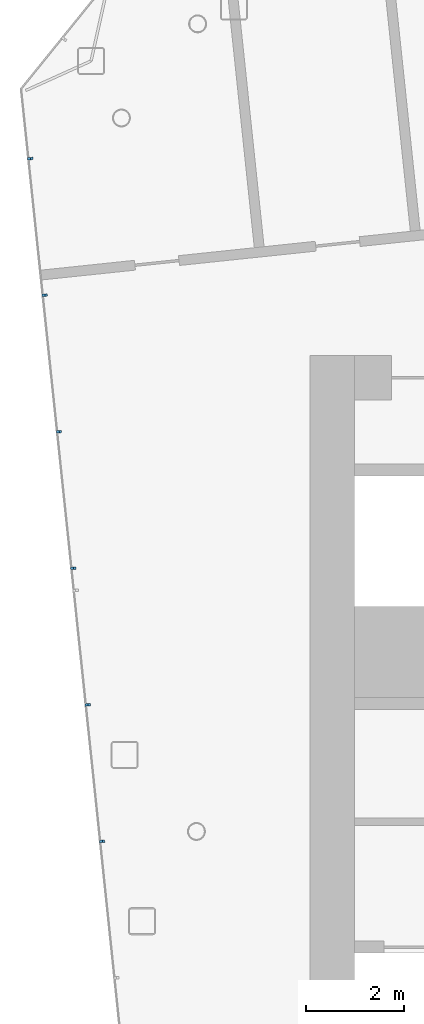
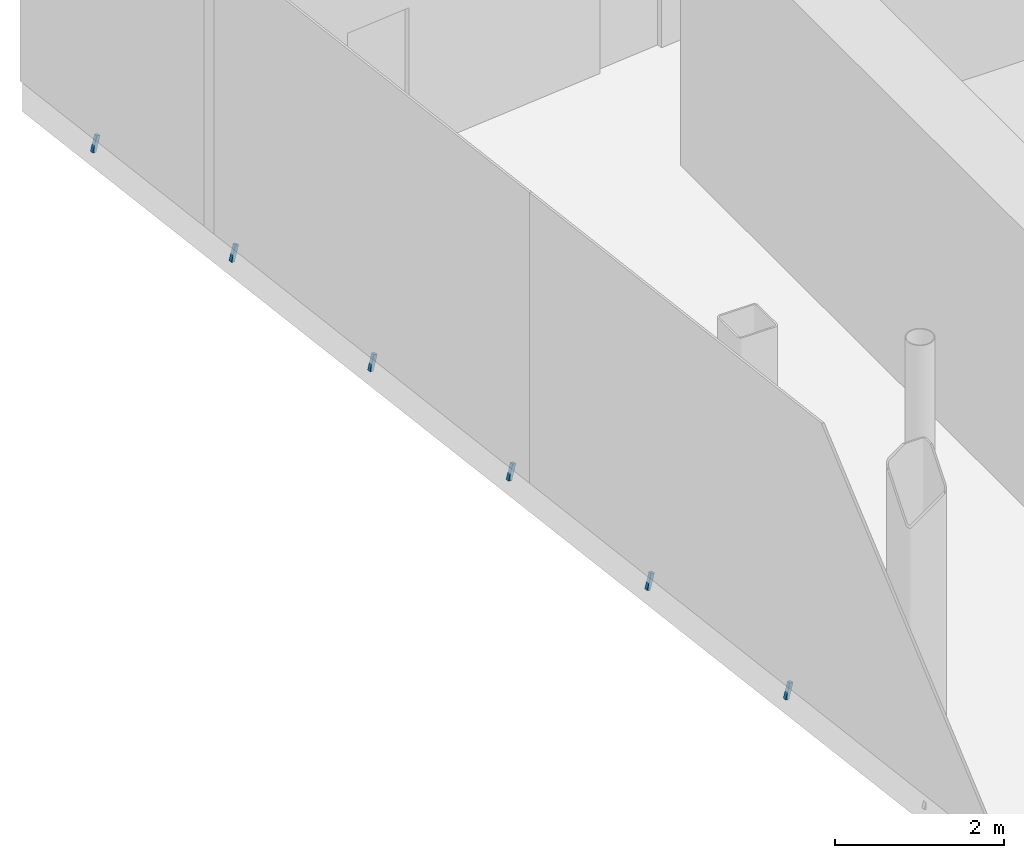
# One storey, part 18 of 28: 6 discrete accessories.
"""IFC4 building model written with IfcOpenShell, lengths in metres."""

from ifc_helpers import new_model, si_unit, direction, frame, origin, origin_2d, place, context, subcontext, project, spatial, rectangle, extrude, material, material_profile, profile_set, type_object, element, save


model = new_model("IFC4")

# Units and contexts
model_context = context("Model", 3, precision=1e-05, world=origin(), true_north=direction((0.0, 1.0)))
body_context = subcontext(model_context, "Body", "Model", "MODEL_VIEW")
ifc_project = project(units=[si_unit("LENGTHUNIT", "METRE"), si_unit("AREAUNIT", "SQUARE_METRE"), si_unit("VOLUMEUNIT", "CUBIC_METRE"), si_unit("PLANEANGLEUNIT", "RADIAN"), si_unit("MASSUNIT", "GRAM", prefix="KILO")], contexts=[model_context])

# Site, building, storey
site_placement = place(None, origin())
site = spatial("IfcSite", under=ifc_project, at=site_placement, CompositionType="ELEMENT")
building_placement = place(site_placement, origin())
building = spatial("IfcBuilding", under=site, at=building_placement, Name="Hakoniwa Tower and Hamabe Station Hall", CompositionType="ELEMENT")
storey_placement = place(building_placement, frame((0.0, 0.0, 280.800048828125)))
storey = spatial("IfcBuildingStorey", under=building, at=storey_placement, Name="L78", CompositionType="ELEMENT", Elevation=280.800048828125)

# Discrete accessories
ifc_material = material(Name="Stainless steel SUS304", Category="steel")
ifc_material_profile = material_profile(ifc_material, rectangle(XDim=0.050048828125, YDim=0.050048828125, at=origin_2d()), Name="CW-4 GLAZING BRACKET 50X50")
ifc_profile_set = profile_set([ifc_material_profile], Name="Stainless steel SUS304")
discrete_accessory_type = type_object("IfcDiscreteAccessoryType", Name="CW-4 GLAZING BRACKET 50X50", PredefinedType="BRACKET", material=ifc_profile_set)
for number, where, z_axis, x_axis, name in (
    (1, (-39.2607421875, 12.407470703125, 0.0), (-0.255739910677, -0.027250974089, -0.966361465756), (0.105957528947, -0.994370656274, 0.0), "Glazing bracket"),
    (2, (-38.968994140625, 9.63134765625, 0.0), (-0.255739910677, -0.027250974089, -0.966361465756), (0.105957528947, -0.994370656274, 0.0), "Glazing bracket"),
    (3, (-38.67724609375, 6.855224609375, 0.0), (-0.255739910677, -0.027250974089, -0.966361465756), (0.105957528947, -0.994370656274, 0.0), "Glazing bracket"),
    (4, (-38.38525390625, 4.0791015625, 0.0), (-0.256719081131, -0.027243657589, -0.966102011438), (0.10552987533, -0.994416132921, 0.0), "Glazing bracket"),
    (5, (-38.093505859375, 1.302978515625, 0.0), (-0.256726269009, -0.026196558062, -0.96612906133), (0.101513688013, -0.994834142531, 0.0), "Glazing bracket"),
    (6, (-37.8017578125, -1.47314453125, 0.0), (-0.256726269009, -0.026196558062, -0.96612906133), (0.101513688013, -0.994834142531, 0.0), "Glazing bracket"),
):
    element("IfcDiscreteAccessory", number, at=place(storey_placement, frame(where, z_axis=z_axis, x_axis=x_axis)), inside=storey, type_object=discrete_accessory_type, Name=name, PredefinedType="BRACKET", context=body_context, shape_type="SweptSolid", body=[
        extrude(rectangle(XDim=0.050048828125, YDim=0.050048828125, at=origin_2d()), origin(), (0.0, 0.0, 1.0), 0.23291015625),
    ])

save(model, "model.ifc")
